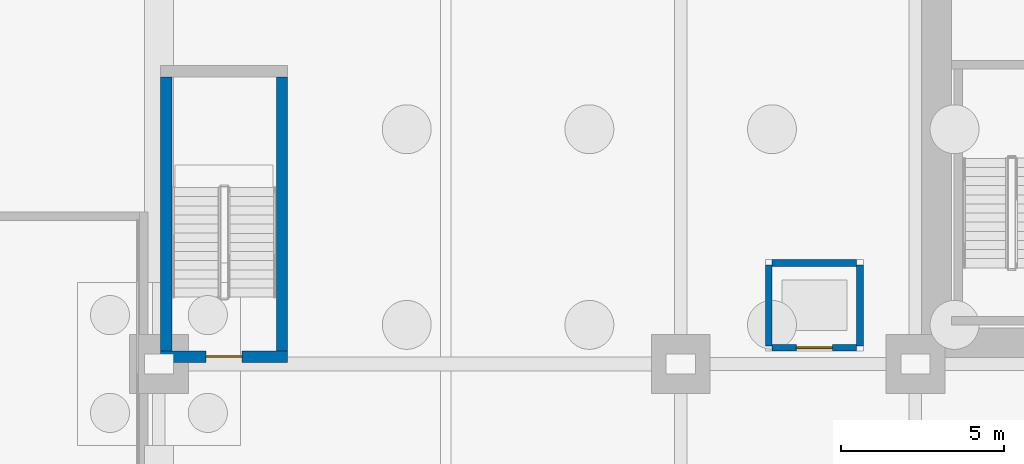
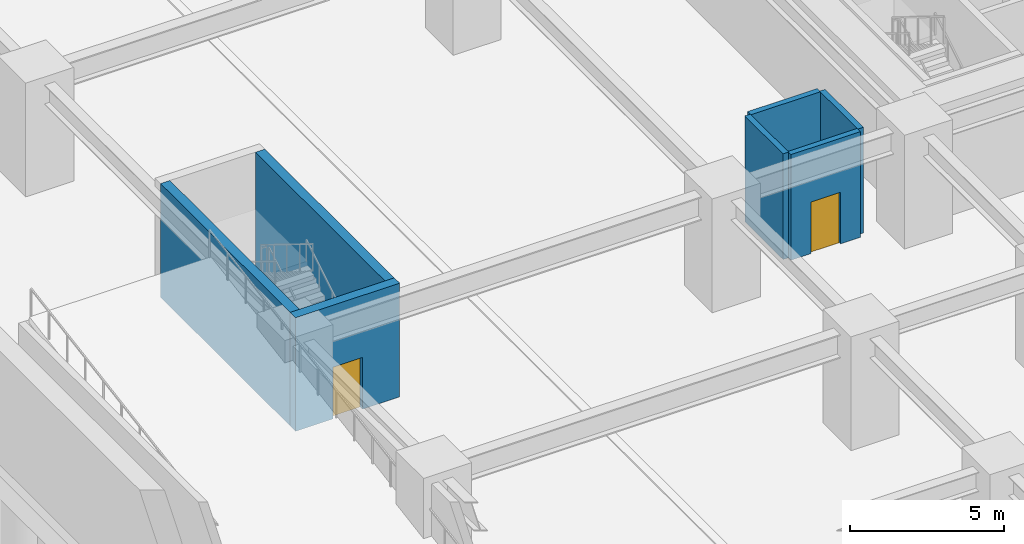
# One storey, part 9 of 23: 7 walls, 2 doors, 2 openings.
"""IFC4 building model written with IfcOpenShell, lengths in metres."""

import ifcopenshell
import ifcopenshell.guid

model = None  # the IFC model being written
_history = None  # IfcOwnerHistory: only IFC2X3 demands one
_inside = {}  # id of a spatial element -> (the spatial element, [elements in it])
_under = {}  # id of a project, library or spatial element -> (it, [spatial elements below it])
_declared = {}  # id of a project -> (the project, [libraries it declares])
_typed = {}  # id of a type object -> (the type object, [elements of that type])
_made_of = {}  # id of a material, layer set ... -> (it, [elements and type objects made of it])


def new_model(schema):
    """Start an empty IFC model of exactly this schema.

    Asked for "IFC4X3", IfcOpenShell would pick the latest addendum, in which some entities
    have other attributes; the version numbers below select the first issue.
    IFC2X3 requires an IfcOwnerHistory on every rooted entity: one is made here for all.
    """
    global model, _history
    if schema == "IFC4X3":
        model = ifcopenshell.file(schema_version=(4, 3, 0, 0))
    else:
        model = ifcopenshell.file(schema=schema)
    _inside.clear()
    _under.clear()
    _declared.clear()
    _typed.clear()
    _made_of.clear()
    _history = None
    if model.schema == "IFC2X3":
        org = make("IfcOrganization", Name="unknown")
        user = make(
            "IfcPersonAndOrganization",
            ThePerson=make("IfcPerson", FamilyName="unknown"),
            TheOrganization=org,
        )
        app = make(
            "IfcApplication",
            ApplicationDeveloper=org,
            Version="unknown",
            ApplicationFullName="unknown",
            ApplicationIdentifier="unknown",
        )
        _history = make(
            "IfcOwnerHistory",
            OwningUser=user,
            OwningApplication=app,
            ChangeAction="ADDED",
            CreationDate=0,
        )
    return model


def make(cls, **values):
    """One entity of the class cls with the attributes given. An attribute that is None is left unset."""
    return model.create_entity(
        cls, **{name: value for name, value in values.items() if value is not None}
    )


def rooted(cls, **values):
    """An entity with a GlobalId (a new one), such as an element, a storey or a relation."""
    return make(cls, GlobalId=ifcopenshell.guid.new(), OwnerHistory=_history, **values)


def si_unit(unit_type, name, prefix=None):
    """IfcSIUnit, for example si_unit("LENGTHUNIT", "METRE", prefix="MILLI")."""
    return make("IfcSIUnit", UnitType=unit_type, Prefix=prefix, Name=name)


def assignment(units):
    """IfcUnitAssignment: the units of a project."""
    return None if units is None else make("IfcUnitAssignment", Units=units)


def point(xyz):
    """IfcCartesianPoint."""
    return None if xyz is None else make("IfcCartesianPoint", Coordinates=xyz)


def direction(xyz):
    """IfcDirection."""
    return None if xyz is None else make("IfcDirection", DirectionRatios=xyz)


def frame(location, z_axis=None, x_axis=None):
    """IfcAxis2Placement3D, a coordinate frame: its origin and axes. An axis left out is left unset."""
    return make(
        "IfcAxis2Placement3D",
        Location=point(location),
        Axis=direction(z_axis),
        RefDirection=direction(x_axis),
    )


def frame_2d(location, x_axis=None):
    """IfcAxis2Placement2D, a coordinate frame in the plane: its origin and x axis."""
    return make(
        "IfcAxis2Placement2D", Location=point(location), RefDirection=direction(x_axis)
    )


def origin():
    """The frame at (0, 0, 0) with its axes left unset."""
    return frame((0.0, 0.0, 0.0))


def place(relative_to, where):
    """IfcLocalPlacement: puts the frame where relative to a parent placement (None: the world)."""
    return make(
        "IfcLocalPlacement", PlacementRelTo=relative_to, RelativePlacement=where
    )


def context(
    kind, dimensions, precision=None, world=None, true_north=None, identifier=None
):
    """IfcGeometricRepresentationContext, for example the 3D "Model" context."""
    return make(
        "IfcGeometricRepresentationContext",
        ContextIdentifier=identifier,
        ContextType=kind,
        CoordinateSpaceDimension=dimensions,
        Precision=precision,
        WorldCoordinateSystem=world,
        TrueNorth=true_north,
    )


def subcontext(parent, identifier, kind, view, scale=None):
    """IfcGeometricRepresentationSubContext, for example "Body" below "Model"."""
    return make(
        "IfcGeometricRepresentationSubContext",
        ContextIdentifier=identifier,
        ContextType=kind,
        ParentContext=parent,
        TargetScale=scale,
        TargetView=view,
    )


def project(units=None, contexts=None):
    """IfcProject with its units and contexts."""
    return rooted(
        "IfcProject",
        Name="project",
        RepresentationContexts=contexts,
        UnitsInContext=assignment(units),
    )


def spatial(cls, under=None, at=None, **own):
    """A site, building, storey or space (cls), placed at a placement, below another one or the project."""
    s = rooted(cls, ObjectPlacement=at, **own)
    if under is not None:
        _under.setdefault(under.id(), (under, []))[1].append(s)
    return s


def profile(cls, at=None, kind="AREA", **sizes):
    """A parametric profile (cls). Its sizes go by their IFC names, for example OverallWidth=200.0."""
    return make(cls, ProfileType=kind, Position=at, **sizes)


def rectangle(**sizes):
    """IfcRectangleProfileDef."""
    return profile("IfcRectangleProfileDef", **sizes)


def extrude(swept, where, along, depth):
    """IfcExtrudedAreaSolid: the profile swept, set in the frame where, extruded along a direction by depth."""
    return make(
        "IfcExtrudedAreaSolid",
        SweptArea=swept,
        Position=where,
        ExtrudedDirection=direction(along),
        Depth=depth,
    )


def shape(context_of_items, identifier, shape_type, items):
    """IfcShapeRepresentation: the items that make up one representation, for example the "Body"."""
    return make(
        "IfcShapeRepresentation",
        ContextOfItems=context_of_items,
        RepresentationIdentifier=identifier,
        RepresentationType=shape_type,
        Items=items,
    )


def material(Name=None, Category=None):
    """IfcMaterial."""
    return make("IfcMaterial", Name=Name, Category=Category)


def layer(
    of_material, thickness, ventilated=None, Name=None, Category=None, Priority=None
):
    """IfcMaterialLayer: one layer of a wall or slab, of a material (None: an air gap)."""
    return make(
        "IfcMaterialLayer",
        Material=of_material,
        LayerThickness=thickness,
        IsVentilated=ventilated,
        Name=Name,
        Category=Category,
        Priority=Priority,
    )


def layer_set(layers, Name=None):
    """IfcMaterialLayerSet."""
    return make("IfcMaterialLayerSet", MaterialLayers=layers, LayerSetName=Name)


def made_of(thing, what):
    """Note that an element or type object is made of a material, layer set ...; save() writes the relation."""
    if what is not None:
        _made_of.setdefault(what.id(), (what, []))[1].append(thing)
    return thing


def type_object(cls, material=None, **own):
    """A type object (cls), such as IfcWallType, which elements share."""
    return made_of(rooted(cls, **own), material)


def element(
    cls,
    number,
    at=None,
    inside=None,
    cuts=None,
    type_object=None,
    material=None,
    context=None,
    identifier="Body",
    shape_type=None,
    held_by="IfcProductDefinitionShape",
    body=None,
    shapes=None,
    **own,
):
    """One element of the class cls, such as IfcWall. Its Tag is "e" and its number.

    at: its placement. inside: the storey or other place that contains it. cuts: it is an
    opening in that element (IfcRelVoidsElement). A single representation is given by context,
    identifier, shape_type and body (its items); several are given by shapes. held_by: the class
    of the entity that holds the representations. save() writes the other relations.
    """
    e = rooted(cls, Tag="e%d" % number, ObjectPlacement=at, **own)
    if body is not None:
        shapes = [shape(context, identifier, shape_type, body)]
    if shapes is not None:
        e.Representation = make(held_by, Representations=shapes)
    if inside is not None:
        _inside.setdefault(inside.id(), (inside, []))[1].append(e)
    if cuts is not None:
        rooted(
            "IfcRelVoidsElement", RelatingBuildingElement=cuts, RelatedOpeningElement=e
        )
    if type_object is not None:
        _typed.setdefault(type_object.id(), (type_object, []))[1].append(e)
    return made_of(e, material)


def fill(opening, filler):
    """IfcRelFillsElement: the door or window that sits in an opening."""
    return rooted(
        "IfcRelFillsElement",
        RelatingOpeningElement=opening,
        RelatedBuildingElement=filler,
    )


def aggregate(whole, parts):
    """IfcRelAggregates: a whole, such as a stair, and the parts it consists of."""
    return rooted("IfcRelAggregates", RelatingObject=whole, RelatedObjects=parts)


def save(model, path):
    """Write the relations noted so far, then the file.

    IfcRelAggregates (storeys below a building ...), IfcRelContainedInSpatialStructure (elements
    in a storey), IfcRelDefinesByType, IfcRelAssociatesMaterial and IfcRelDeclares: one each for
    every whole, place, type object, material and project.
    """
    for whole, parts in _under.values():
        aggregate(whole, parts)
    for where, things in _inside.values():
        rooted(
            "IfcRelContainedInSpatialStructure",
            RelatedElements=things,
            RelatingStructure=where,
        )
    for kind, things in _typed.values():
        rooted("IfcRelDefinesByType", RelatedObjects=things, RelatingType=kind)
    for what, things in _made_of.values():
        rooted("IfcRelAssociatesMaterial", RelatedObjects=things, RelatingMaterial=what)
    for by, libraries in _declared.values():
        rooted("IfcRelDeclares", RelatingContext=by, RelatedDefinitions=libraries)
    model.write(path)


model = new_model("IFC4")

# Units and contexts
model_context = context("Model", 3, precision=1e-05, world=origin(), true_north=direction((0.0, 1.0)))
body_context = subcontext(model_context, "Body", "Model", "MODEL_VIEW")
ifc_project = project(units=[si_unit("LENGTHUNIT", "METRE"), si_unit("AREAUNIT", "SQUARE_METRE"), si_unit("VOLUMEUNIT", "CUBIC_METRE"), si_unit("PLANEANGLEUNIT", "RADIAN"), si_unit("MASSUNIT", "GRAM", prefix="KILO")], contexts=[model_context])

# Site, building, storey
site_placement = place(None, origin())
site = spatial("IfcSite", under=ifc_project, at=site_placement, CompositionType="ELEMENT")
building_placement = place(site_placement, origin())
building = spatial("IfcBuilding", under=site, at=building_placement, Name="Kiyonajd Concourse Tower", CompositionType="ELEMENT")
storey_placement = place(building_placement, frame((0.0, 0.0, -9.0)))
storey = spatial("IfcBuildingStorey", under=building, at=storey_placement, Name="B2", CompositionType="ELEMENT", Elevation=-9.0)

# Wall, opening, door
ifc_material_1 = material(Name="Gypsum Board on Cold-Formed Steel Stud", Category="steel")
ifc_layer_1 = layer(ifc_material_1, 0.2099609375)
ifc_layer_set_1 = layer_set([ifc_layer_1], Name="Gypsum Board on Cold-Formed Steel Stud")
wall_type_1 = type_object("IfcWallType", Name="WL-SHAFT-210", PredefinedType="PARTITIONING", material=ifc_layer_set_1)
wall_1_placement = place(storey_placement, frame((28.0, 28.10009765625, 0.0), z_axis=(0.0, 0.0, 1.0), x_axis=(1.0, 0.0, 0.0)))
wall_1 = element("IfcWall", 1, at=wall_1_placement, inside=storey, type_object=wall_type_1, Name="B2 Shaft Enclosure Wall", PredefinedType="PARTITIONING", context=body_context, shape_type="SweptSolid", body=[
    extrude(rectangle(XDim=2.60009765625, YDim=0.2099609375, at=frame_2d((1.300048828125, 0.0))), origin(), (0.0, 0.0, 1.0), 4.179931640625),
])
opening_1_placement = place(wall_1_placement, frame((0.75, 0.0, 0.0)))
opening_1 = element("IfcOpeningElement", 2, at=opening_1_placement, cuts=wall_1, Name="Opening LD1", PredefinedType="OPENING", context=body_context, shape_type="SweptSolid", body=[
    extrude(rectangle(XDim=1.10009765625, YDim=2.0400390625, at=frame_2d((0.550048828125, 1.02001953125))), frame((0.0, 0.114990234375, 0.0), z_axis=(0.0, -1.0, 0.0), x_axis=(1.0, 0.0, 0.0)), (0.0, 0.0, 1.0), 0.22998046875),
])
ifc_material_2 = material(Name="Brushed Stainless Steel Cab Assembly", Category="steel")
door_type_1 = type_object("IfcDoorType", Name="DR-LD-1100", OperationType="DOUBLE_DOOR_SLIDING", PredefinedType="DOOR", material=ifc_material_2)
door_1_placement = place(opening_1_placement, origin())
door_1 = element("IfcDoor", 3, at=door_1_placement, inside=storey, type_object=door_type_1, Name="B2 Lift PD1 Sliding Landing Door", OperationType="DOUBLE_DOOR_SLIDING", OverallHeight=2.0400390625, OverallWidth=1.10009765625, PredefinedType="DOOR", context=body_context, shape_type="SweptSolid", body=[
    extrude(rectangle(XDim=1.10009765625, YDim=2.0400390625, at=frame_2d((0.550048828125, 1.02001953125))), frame((0.0, 0.02490234375, 0.0), z_axis=(0.0, -1.0, 0.0), x_axis=(1.0, 0.0, 0.0)), (0.0, 0.0, 1.0), 0.050048828125),
])
fill(opening_1, door_1)

# Walls
wall_2_placement = place(storey_placement, frame((28.0, 30.699951171875, 0.0), z_axis=(0.0, 0.0, 1.0), x_axis=(1.0, 0.0, 0.0)))
element("IfcWall", 4, at=wall_2_placement, inside=storey, type_object=wall_type_1, Name="B2 Shaft Enclosure Wall", PredefinedType="PARTITIONING", context=body_context, shape_type="SweptSolid", body=[
    extrude(rectangle(XDim=2.60009765625, YDim=0.2099609375, at=frame_2d((1.300048828125, 0.0))), origin(), (0.0, 0.0, 1.0), 4.179931640625),
])
for number, where, z_axis, x_axis, name in (
    (5, (27.89990234375, 28.159912109375, 0.0), (0.0, 0.0, 1.0), (0.0, 1.0, 0.0), "B2 Shaft Enclosure Wall"),
    (6, (30.699951171875, 28.159912109375, 0.0), (0.0, 0.0, 1.0), (0.0, 1.0, 0.0), "B2 Shaft Enclosure Wall"),
):
    element("IfcWall", number, at=place(storey_placement, frame(where, z_axis=z_axis, x_axis=x_axis)), inside=storey, type_object=wall_type_1, Name=name, PredefinedType="PARTITIONING", context=body_context, shape_type="SweptSolid", body=[
        extrude(rectangle(XDim=2.47998046875, YDim=0.2099609375, at=frame_2d((1.239990234375, 0.0))), origin(), (0.0, 0.0, 1.0), 4.179931640625),
    ])

# Wall, opening, door
ifc_material_3 = material(Name="Concrete C50/60", Category="concrete")
ifc_layer_2 = layer(ifc_material_3, 0.35009765625)
ifc_layer_set_2 = layer_set([ifc_layer_2], Name="Concrete C50/60")
wall_type_2 = type_object("IfcWallType", Name="WL-STAIR-350", PredefinedType="SHEAR", material=ifc_layer_set_2)
wall_3_placement = place(storey_placement, frame((9.25, 27.824951171875, 0.0), z_axis=(0.0, 0.0, 1.0), x_axis=(1.0, 0.0, 0.0)))
wall_3 = element("IfcWall", 7, at=wall_3_placement, inside=storey, type_object=wall_type_2, Name="B2 Stair ST4 Structural South Wall", PredefinedType="SHEAR", context=body_context, shape_type="SweptSolid", body=[
    extrude(rectangle(XDim=3.89990234375, YDim=0.35009765625, at=frame_2d((1.949951171875, 0.0))), origin(), (0.0, 0.0, 1.0), 4.5),
])
opening_2_placement = place(wall_3_placement, frame((1.39990234375, 0.0, 0.0)))
opening_2 = element("IfcOpeningElement", 8, at=opening_2_placement, cuts=wall_3, Name="Opening DF2", PredefinedType="OPENING", context=body_context, shape_type="SweptSolid", body=[
    extrude(rectangle(XDim=1.10009765625, YDim=2.050048828125, at=frame_2d((0.550048828125, 1.02490234375))), frame((0.0, 0.18505859375, 0.0), z_axis=(0.0, -1.0, 0.0), x_axis=(1.0, 0.0, 0.0)), (0.0, 0.0, 1.0), 0.3701171875),
])
door_type_2 = type_object("IfcDoorType", Name="DR-FD90-1100", OperationType="NOTDEFINED", PredefinedType="DOOR", material=ifc_material_2)
door_2_placement = place(opening_2_placement, origin())
door_2 = element("IfcDoor", 9, at=door_2_placement, inside=storey, type_object=door_type_2, Name="B2 Stair ST4 Fire Door", OperationType="SINGLE_SWING_LEFT", OverallHeight=2.050048828125, OverallWidth=1.10009765625, PredefinedType="DOOR", context=body_context, shape_type="SweptSolid", body=[
    extrude(rectangle(XDim=1.10009765625, YDim=2.050048828125, at=frame_2d((0.550048828125, 1.02490234375))), frame((0.0, 0.02490234375, 0.0), z_axis=(0.0, -1.0, 0.0), x_axis=(1.0, 0.0, 0.0)), (0.0, 0.0, 1.0), 0.050048828125),
])
fill(opening_2, door_2)

# Walls
for number, where, z_axis, x_axis, name in (
    (10, (9.425048828125, 28.0, 0.0), (0.0, 0.0, 1.0), (0.0, 1.0, 0.0), "B2 Stair ST4 Structural West Wall"),
    (11, (12.97509765625, 28.0, 0.0), (0.0, 0.0, 1.0), (0.0, 1.0, 0.0), "B2 Stair ST4 Structural East Wall"),
):
    element("IfcWall", number, at=place(storey_placement, frame(where, z_axis=z_axis, x_axis=x_axis)), inside=storey, type_object=wall_type_2, Name=name, PredefinedType="SHEAR", context=body_context, shape_type="SweptSolid", body=[
        extrude(rectangle(XDim=8.39990234375, YDim=0.35009765625, at=frame_2d((4.199951171875, 0.0))), origin(), (0.0, 0.0, 1.0), 4.5),
    ])

save(model, "model.ifc")
